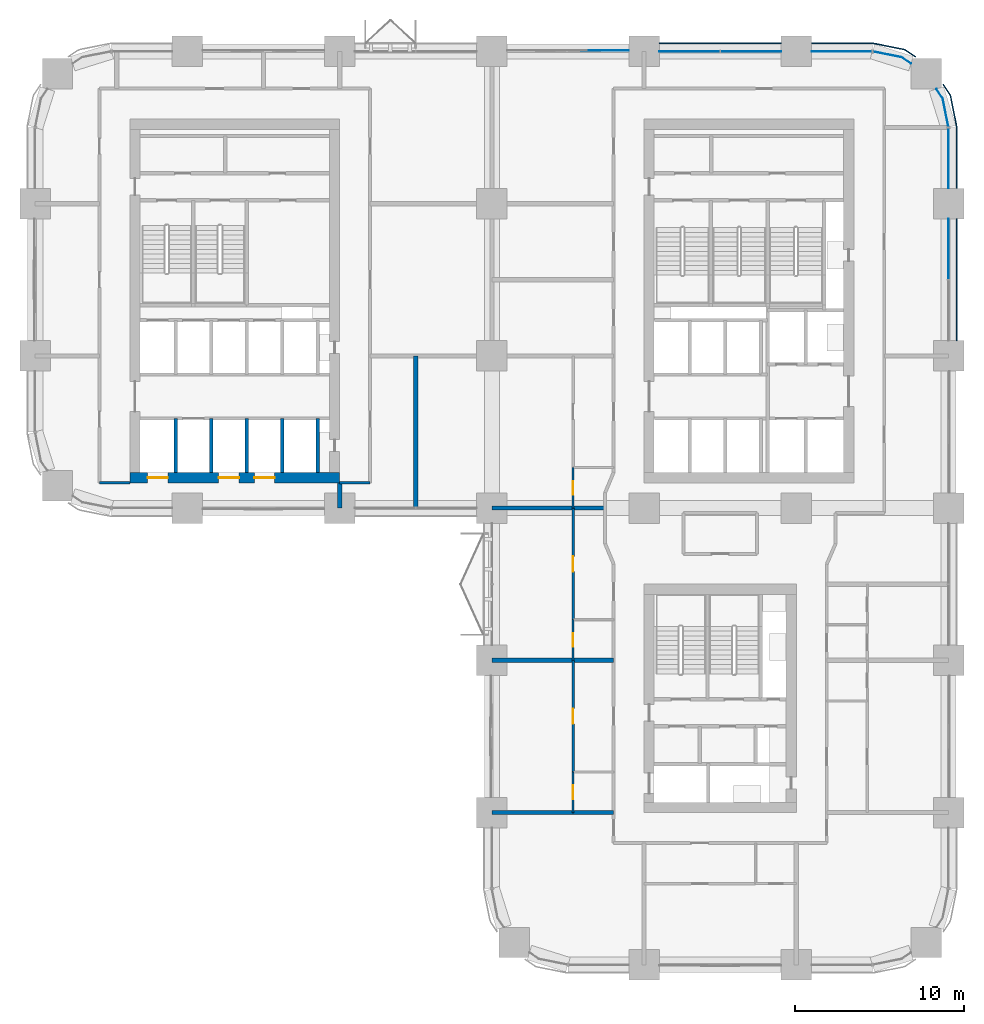
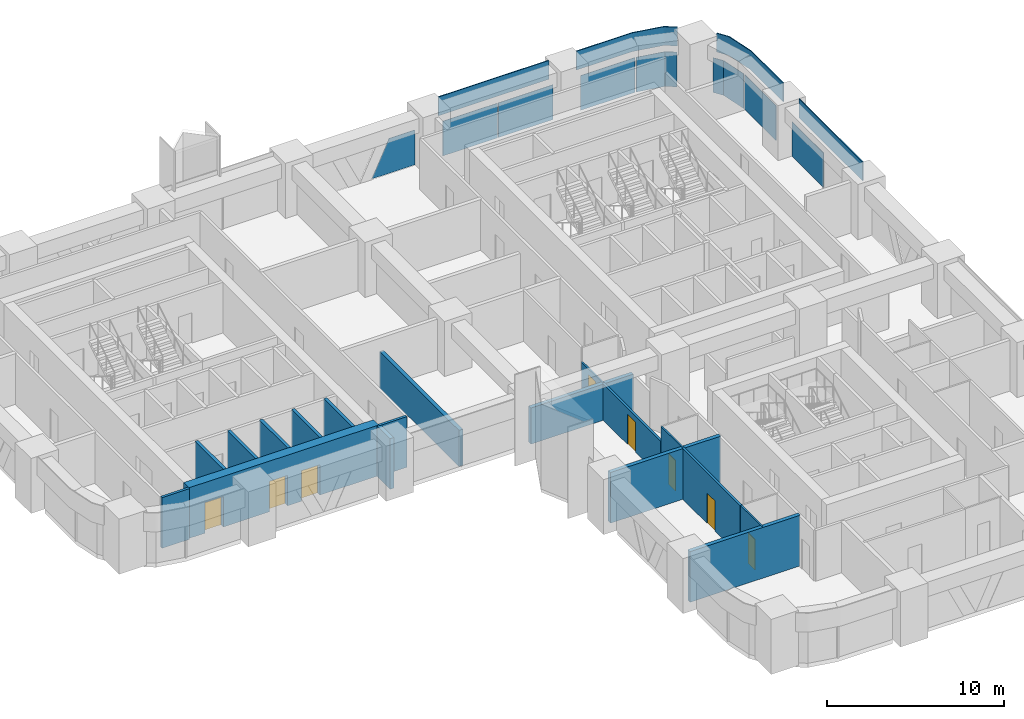
# One storey, part 11 of 18: 18 walls, 12 plates, 8 doors, 8 openings, 5 elements without a shape of their own.
"""IFC4 building model written with IfcOpenShell, lengths in metres."""

from ifc_helpers import new_model, si_unit, direction, frame, frame_2d, origin, origin_2d, place, context, subcontext, project, spatial, polyline, rectangle, outline, extrude, material, layer, layer_set, type_object, element, fill, aggregate, save


model = new_model("IFC4")

# Units and contexts
model_context = context("Model", 3, precision=1e-05, world=origin(), true_north=direction((0.0, 1.0)))
body_context = subcontext(model_context, "Body", "Model", "MODEL_VIEW")
ifc_project = project(units=[si_unit("LENGTHUNIT", "METRE"), si_unit("AREAUNIT", "SQUARE_METRE"), si_unit("VOLUMEUNIT", "CUBIC_METRE"), si_unit("PLANEANGLEUNIT", "RADIAN"), si_unit("MASSUNIT", "GRAM", prefix="KILO")], contexts=[model_context])

# Site, building, storey
site_placement = place(None, origin())
site = spatial("IfcSite", under=ifc_project, at=site_placement, CompositionType="ELEMENT")
building_placement = place(site_placement, origin())
building = spatial("IfcBuilding", under=site, at=building_placement, Name="Tessera Arch", CompositionType="ELEMENT")
storey_placement = place(building_placement, frame((0.0, 0.0, 100.60009765625)))
storey = spatial("IfcBuildingStorey", under=building, at=storey_placement, Name="L23", CompositionType="ELEMENT", Elevation=100.60009765625)

# Curtain wall, plates
ifc_material_1 = material(Name="CW1 curtain wall")
curtain_wall_type_1 = type_object("IfcCurtainWallType", Name="CW1 curtain wall", PredefinedType="NOTDEFINED", material=ifc_material_1)
curtain_wall_1_placement = place(storey_placement, origin())
curtain_wall_1 = element("IfcCurtainWall", 1, at=curtain_wall_1_placement, inside=storey, type_object=curtain_wall_type_1, Name="CW1 curtain wall N54.0/0 L23", PredefinedType="NOTDEFINED")
ifc_material_2 = material(Name="Clear low-e glass", Category="glass")
ifc_material_3 = material(Name="Clear low-e glass", Category="glass")
ifc_layer_1 = layer(ifc_material_3, 0.028076171875)
ifc_layer_set_1 = layer_set([ifc_layer_1], Name="CW1 glass panel")
plate_type_1 = type_object("IfcPlateType", Name="CW1 glass panel", PredefinedType="CURTAIN_PANEL", material=ifc_layer_set_1)
plate_1_placement = place(storey_placement, frame((42.31494140625, 54.0, 0.0), z_axis=(0.0, 0.0, 1.0), x_axis=(-1.0, 0.0, 0.0)))
plate_1 = element("IfcPlate", 2, at=plate_1_placement, type_object=plate_type_1, material=ifc_material_2, Name="CW1 glass panel N54.0/0 1.1.1", PredefinedType="CURTAIN_PANEL", context=body_context, shape_type="SweptSolid", body=[
    extrude(rectangle(XDim=3.570068359375, YDim=0.028076171875, at=origin_2d()), origin(), (0.0, 0.0, 1.0), 2.39990234375),
])
plate_2_placement = place(storey_placement, frame((38.68505859375, 54.0, 0.0), z_axis=(0.0, 0.0, 1.0), x_axis=(-1.0, 0.0, 0.0)))
plate_2 = element("IfcPlate", 3, at=plate_2_placement, type_object=plate_type_1, material=ifc_material_2, Name="CW1 glass panel N54.0/0 1.2.1", PredefinedType="CURTAIN_PANEL", context=body_context, shape_type="SweptSolid", body=[
    extrude(rectangle(XDim=3.570068359375, YDim=0.028076171875, at=origin_2d()), origin(), (0.0, 0.0, 1.0), 2.39990234375),
])

# Curtain wall, plate
curtain_wall_2_placement = place(storey_placement, origin())
curtain_wall_2 = element("IfcCurtainWall", 4, at=curtain_wall_2_placement, inside=storey, type_object=curtain_wall_type_1, Name="CW1 curtain wall E54.0/4 L23", PredefinedType="NOTDEFINED")
plate_3_placement = place(storey_placement, frame((54.0, 42.31494140625, 0.0), z_axis=(0.0, 0.0, 1.0), x_axis=(0.0, 1.0, 0.0)))
plate_3 = element("IfcPlate", 5, at=plate_3_placement, type_object=plate_type_1, material=ifc_material_2, Name="CW1 glass panel E54.0/4 1.2.1", PredefinedType="CURTAIN_PANEL", context=body_context, shape_type="SweptSolid", body=[
    extrude(rectangle(XDim=3.570068359375, YDim=0.028076171875, at=origin_2d()), origin(), (0.0, 0.0, 1.0), 2.39990234375),
])

# Plate
ifc_material_4 = material(Name="Pale anodised aluminium panel", Category="aluminium")
ifc_layer_2 = layer(ifc_material_4, 0.06005859375)
ifc_layer_set_2 = layer_set([ifc_layer_2], Name="CW1 spandrel panel")
plate_type_2 = type_object("IfcPlateType", Name="CW1 spandrel panel", PredefinedType="CURTAIN_PANEL", material=ifc_layer_set_2)
plate_4_placement = place(storey_placement, frame((40.5, 54.47998046875, 2.5), z_axis=(0.0, 0.0, 1.0), x_axis=(-1.0, 0.0, 0.0)))
plate_4 = element("IfcPlate", 6, at=plate_4_placement, type_object=plate_type_2, Name="CW1 spandrel panel N54.0/0", PredefinedType="CURTAIN_PANEL", context=body_context, shape_type="SweptSolid", body=[
    extrude(rectangle(XDim=7.199951171875, YDim=0.06005859375, at=origin_2d()), origin(), (0.0, 0.0, 1.0), 1.300048828125),
])

aggregate(curtain_wall_1, [plate_1, plate_2, plate_4])

plate_5_placement = place(storey_placement, frame((54.47998046875, 40.5, 2.5), z_axis=(0.0, 0.0, 1.0), x_axis=(0.0, 1.0, 0.0)))
plate_5 = element("IfcPlate", 7, at=plate_5_placement, type_object=plate_type_2, Name="CW1 spandrel panel E54.0/4", PredefinedType="CURTAIN_PANEL", context=body_context, shape_type="SweptSolid", body=[
    extrude(rectangle(XDim=7.199951171875, YDim=0.06005859375, at=origin_2d()), origin(), (0.0, 0.0, 1.0), 1.300048828125),
])

aggregate(curtain_wall_2, [plate_3, plate_5])

# Curtain wall, plates
ifc_material_5 = material(Name="CW2 curtain wall")
curtain_wall_type_2 = type_object("IfcCurtainWallType", Name="CW2 curtain wall", PredefinedType="NOTDEFINED", material=ifc_material_5)
curtain_wall_3_placement = place(storey_placement, origin())
curtain_wall_3 = element("IfcCurtainWall", 8, at=curtain_wall_3_placement, inside=storey, type_object=curtain_wall_type_2, Name="CW2 curtain wall E54.0/5 L23", PredefinedType="NOTDEFINED")
ifc_material_6 = material(Name="Clear low-e glass", Category="glass")
ifc_layer_3 = layer(ifc_material_6, 0.028076171875)
ifc_layer_set_3 = layer_set([ifc_layer_3], Name="CW2 glass panel")
plate_type_3 = type_object("IfcPlateType", Name="CW2 glass panel", PredefinedType="CURTAIN_PANEL", material=ifc_layer_set_3)
plate_6_placement = place(storey_placement, frame((54.0, 47.679931640625, 0.0), z_axis=(0.0, 0.0, 1.0), x_axis=(0.0, 1.0, 0.0)))
plate_6 = element("IfcPlate", 9, at=plate_6_placement, type_object=plate_type_3, material=ifc_material_2, Name="CW2 glass panel E54.0/5 1.1", PredefinedType="CURTAIN_PANEL", context=body_context, shape_type="SweptSolid", body=[
    extrude(rectangle(XDim=3.56005859375, YDim=0.028076171875, at=origin_2d()), origin(), (0.0, 0.0, 1.0), 2.39990234375),
])
plate_7_placement = place(storey_placement, origin())
plate_7 = element("IfcPlate", 10, at=plate_7_placement, type_object=plate_type_3, material=ifc_material_2, Name="CW2 curved glass panel E54.0/5 2.1", PredefinedType="CURTAIN_PANEL", context=body_context, shape_type="SweptSolid", body=[
    extrude(outline(polyline([(53.644287109375, 51.216552734375), (53.978515625, 49.53662109375), (54.005859375, 49.5419921875), (53.670654296875, 51.2275390625), (53.294921875, 51.789794921875), (53.271728515625, 51.774169921875), (53.644287109375, 51.216552734375)])), origin(), (0.0, 0.0, 1.0), 2.39990234375),
])

curtain_wall_4_placement = place(storey_placement, origin())
curtain_wall_4 = element("IfcCurtainWall", 11, at=curtain_wall_4_placement, inside=storey, type_object=curtain_wall_type_2, Name="CW2 curtain wall N54.0/5 L23", PredefinedType="NOTDEFINED")
plate_8_placement = place(storey_placement, frame((47.679931640625, 54.0, 0.0), z_axis=(0.0, 0.0, 1.0), x_axis=(-1.0, 0.0, 0.0)))
plate_8 = element("IfcPlate", 12, at=plate_8_placement, type_object=plate_type_3, material=ifc_material_2, Name="CW2 glass panel N54.0/5 1.1", PredefinedType="CURTAIN_PANEL", context=body_context, shape_type="SweptSolid", body=[
    extrude(rectangle(XDim=3.56005859375, YDim=0.028076171875, at=origin_2d()), origin(), (0.0, 0.0, 1.0), 2.39990234375),
])
plate_9_placement = place(storey_placement, origin())
plate_9 = element("IfcPlate", 13, at=plate_9_placement, type_object=plate_type_3, material=ifc_material_2, Name="CW2 curved glass panel N54.0/5 2.1", PredefinedType="CURTAIN_PANEL", context=body_context, shape_type="SweptSolid", body=[
    extrude(outline(polyline([(51.216552734375, 53.644287109375), (51.774169921875, 53.271728515625), (51.789794921875, 53.294921875), (51.2275390625, 53.670654296875), (49.5419921875, 54.005859375), (49.53662109375, 53.978515625), (51.216552734375, 53.644287109375)])), origin(), (0.0, 0.0, 1.0), 2.39990234375),
])

# Plate
ifc_material_7 = material(Name="Pale anodised aluminium panel", Category="aluminium")
ifc_layer_4 = layer(ifc_material_7, 0.06005859375)
ifc_layer_set_4 = layer_set([ifc_layer_4], Name="CW2 spandrel panel")
plate_type_4 = type_object("IfcPlateType", Name="CW2 spandrel panel", PredefinedType="CURTAIN_PANEL", material=ifc_layer_set_4)
plate_10_placement = place(storey_placement, frame((0.0, 0.0, 2.5)))
plate_10 = element("IfcPlate", 14, at=plate_10_placement, type_object=plate_type_4, Name="CW2 spandrel panel E54.0/5", PredefinedType="CURTAIN_PANEL", context=body_context, shape_type="SweptSolid", body=[
    extrude(outline(polyline([(54.449951171875, 49.499267578125), (54.449951171875, 45.89990234375), (54.510009765625, 45.89990234375), (54.510009765625, 49.500732421875), (54.507568359375, 49.550048828125), (54.500244140625, 49.598876953125), (54.157470703125, 51.322265625), (54.1455078125, 51.3701171875), (54.128662109375, 51.417236328125), (54.107177734375, 51.462646484375), (54.08203125, 51.5048828125), (53.707275390625, 52.0654296875), (53.657470703125, 52.031982421875), (54.03125, 51.47265625), (54.05419921875, 51.434326171875), (54.0732421875, 51.394287109375), (54.088134765625, 51.352783203125), (54.09912109375, 51.30908203125), (54.441162109375, 49.588623046875), (54.44775390625, 49.544189453125), (54.449951171875, 49.499267578125)])), origin(), (0.0, 0.0, 1.0), 1.2998046875),
])

aggregate(curtain_wall_3, [plate_6, plate_7, plate_10])

plate_11_placement = place(storey_placement, frame((0.0, 0.0, 2.5)))
plate_11 = element("IfcPlate", 15, at=plate_11_placement, type_object=plate_type_4, Name="CW2 spandrel panel N54.0/5", PredefinedType="CURTAIN_PANEL", context=body_context, shape_type="SweptSolid", body=[
    extrude(outline(polyline([(51.47265625, 54.03125), (52.031982421875, 53.657470703125), (52.0654296875, 53.707275390625), (51.5048828125, 54.08203125), (51.462646484375, 54.107177734375), (51.417236328125, 54.128662109375), (51.3701171875, 54.1455078125), (51.322265625, 54.157470703125), (49.598876953125, 54.500244140625), (49.550048828125, 54.507568359375), (49.500732421875, 54.510009765625), (45.89990234375, 54.510009765625), (45.89990234375, 54.449951171875), (49.499267578125, 54.449951171875), (49.544189453125, 54.44775390625), (49.588623046875, 54.441162109375), (51.30908203125, 54.09912109375), (51.352783203125, 54.088134765625), (51.394287109375, 54.0732421875), (51.434326171875, 54.05419921875), (51.47265625, 54.03125)])), origin(), (0.0, 0.0, 1.0), 1.2998046875),
])

aggregate(curtain_wall_4, [plate_8, plate_9, plate_11])

# Curtain wall, plate
ifc_material_8 = material(Name="CW3 curtain wall")
curtain_wall_type_3 = type_object("IfcCurtainWallType", Name="CW3 curtain wall", PredefinedType="NOTDEFINED", material=ifc_material_8)
curtain_wall_5_placement = place(storey_placement, origin())
curtain_wall_5 = element("IfcCurtainWall", 16, at=curtain_wall_5_placement, inside=storey, type_object=curtain_wall_type_3, Name="CW3 curtain wall N54.0/1 L23", PredefinedType="NOTDEFINED")
ifc_material_9 = material(Name="Clear low-e glass", Category="glass")
ifc_layer_5 = layer(ifc_material_9, 0.028076171875)
ifc_layer_set_5 = layer_set([ifc_layer_5], Name="CW3 glass panel")
plate_type_5 = type_object("IfcPlateType", Name="CW3 glass panel", PredefinedType="CURTAIN_PANEL", material=ifc_layer_set_5)
plate_12_placement = place(storey_placement, frame((35.10009765625, 54.05810546875, 0.0), z_axis=(0.0, 1.0, 0.0), x_axis=(-1.0, 0.0, 0.0)))
plate_12 = element("IfcPlate", 17, at=plate_12_placement, type_object=plate_type_5, material=ifc_material_2, Name="CW3 triangulated glass panel N54.0/1 1", PredefinedType="CURTAIN_PANEL", context=body_context, shape_type="SweptSolid", body=[
    extrude(outline(polyline([(0.0, 0.0), (2.822021484375, 0.0), (1.685302734375, 2.39990234375), (0.0, 2.39990234375), (0.0, 0.0)])), origin(), (0.0, 0.0, -1.0), 0.028076171875),
])
aggregate(curtain_wall_5, [plate_12])

# Wall, openings, doors
ifc_material_10 = material(Name="Concrete C70/85", Category="concrete")
ifc_layer_6 = layer(ifc_material_10, 0.60009765625)
ifc_layer_set_6 = layer_set([ifc_layer_6], Name="Core shell wall 600 C70-85")
wall_type_1 = type_object("IfcWallType", Name="Core shell wall 600 C70-85", PredefinedType="SHEAR", material=ifc_layer_set_6)
wall_1_placement = place(storey_placement, frame((5.60009765625, 28.800048828125, 0.0), z_axis=(0.0, 0.0, 1.0), x_axis=(1.0, 0.0, 0.0)))
wall_1 = element("IfcWall", 18, at=wall_1_placement, inside=storey, type_object=wall_type_1, Name="L23 C2 core wall S", PredefinedType="SHEAR", context=body_context, shape_type="SweptSolid", body=[
    extrude(rectangle(XDim=12.39990234375, YDim=0.60009765625, at=frame_2d((6.199951171875, 0.0))), origin(), (0.0, 0.0, 1.0), 3.5),
])
opening_1_placement = place(wall_1_placement, frame((1.050048828125, 0.0, 0.0)))
opening_1 = element("IfcOpeningElement", 19, at=opening_1_placement, cuts=wall_1, Name="Opening L23-C14", PredefinedType="OPENING", context=body_context, shape_type="SweptSolid", body=[
    extrude(rectangle(XDim=1.199951171875, YDim=2.10009765625, at=frame_2d((0.60009765625, 1.050048828125))), frame((0.0, 0.31005859375, 0.0), z_axis=(0.0, -1.0, 0.0), x_axis=(1.0, 0.0, 0.0)), (0.0, 0.0, 1.0), 0.6201171875),
])
opening_2_placement = place(wall_1_placement, frame((5.25, 0.0, 0.0)))
opening_2 = element("IfcOpeningElement", 20, at=opening_2_placement, cuts=wall_1, Name="Opening L23-C16", PredefinedType="OPENING", context=body_context, shape_type="SweptSolid", body=[
    extrude(rectangle(XDim=1.199951171875, YDim=2.10009765625, at=frame_2d((0.60009765625, 1.050048828125))), frame((0.0, 0.31005859375, 0.0), z_axis=(0.0, -1.0, 0.0), x_axis=(1.0, 0.0, 0.0)), (0.0, 0.0, 1.0), 0.6201171875),
])
opening_3_placement = place(wall_1_placement, frame((7.35009765625, 0.0, 0.0)))
opening_3 = element("IfcOpeningElement", 21, at=opening_3_placement, cuts=wall_1, Name="Opening L23-C17", PredefinedType="OPENING", context=body_context, shape_type="SweptSolid", body=[
    extrude(rectangle(XDim=1.199951171875, YDim=2.10009765625, at=frame_2d((0.60009765625, 1.050048828125))), frame((0.0, 0.31005859375, 0.0), z_axis=(0.0, -1.0, 0.0), x_axis=(1.0, 0.0, 0.0)), (0.0, 0.0, 1.0), 0.6201171875),
])
ifc_material_11 = material(Name="Stainless steel AISI 304", Category="steel")
door_type_1 = type_object("IfcDoorType", Name="Sliding landing door 1200 x 2100", OperationType="SLIDING_TO_LEFT", PredefinedType="DOOR", material=ifc_material_11)
door_1_placement = place(opening_1_placement, origin())
door_1 = element("IfcDoor", 22, at=door_1_placement, inside=storey, type_object=door_type_1, Name="L23 LR1 lift landing door C14 type LD", OperationType="SLIDING_TO_LEFT", OverallHeight=2.10009765625, OverallWidth=1.199951171875, PredefinedType="DOOR", context=body_context, shape_type="SweptSolid", body=[
    extrude(rectangle(XDim=1.199951171875, YDim=2.10009765625, at=frame_2d((0.60009765625, 1.050048828125))), frame((0.0, 0.02490234375, 0.0), z_axis=(0.0, -1.0, 0.0), x_axis=(1.0, 0.0, 0.0)), (0.0, 0.0, 1.0), 0.050048828125),
])
fill(opening_1, door_1)
door_2_placement = place(opening_2_placement, origin())
door_2 = element("IfcDoor", 23, at=door_2_placement, inside=storey, type_object=door_type_1, Name="L23 LR3 lift landing door C16 type LD", OperationType="SLIDING_TO_LEFT", OverallHeight=2.10009765625, OverallWidth=1.199951171875, PredefinedType="DOOR", context=body_context, shape_type="SweptSolid", body=[
    extrude(rectangle(XDim=1.199951171875, YDim=2.10009765625, at=frame_2d((0.60009765625, 1.050048828125))), frame((0.0, 0.02490234375, 0.0), z_axis=(0.0, -1.0, 0.0), x_axis=(1.0, 0.0, 0.0)), (0.0, 0.0, 1.0), 0.050048828125),
])
fill(opening_2, door_2)
door_3_placement = place(opening_3_placement, origin())
door_3 = element("IfcDoor", 24, at=door_3_placement, inside=storey, type_object=door_type_1, Name="L23 LR4 lift landing door C17 type LD", OperationType="SLIDING_TO_LEFT", OverallHeight=2.10009765625, OverallWidth=1.199951171875, PredefinedType="DOOR", context=body_context, shape_type="SweptSolid", body=[
    extrude(rectangle(XDim=1.199951171875, YDim=2.10009765625, at=frame_2d((0.60009765625, 1.050048828125))), frame((0.0, 0.02490234375, 0.0), z_axis=(0.0, -1.0, 0.0), x_axis=(1.0, 0.0, 0.0)), (0.0, 0.0, 1.0), 0.050048828125),
])
fill(opening_3, door_3)

# Walls
ifc_material_12 = material(Name="Gypsum board on deep steel stud with mineral wool", Category="steel")
ifc_layer_7 = layer(ifc_material_12, 0.175048828125)
ifc_layer_set_7 = layer_set([ifc_layer_7], Name="Corridor wall 175 EI 60")
wall_type_2 = type_object("IfcWallType", Name="Corridor wall 175 EI 60", PredefinedType="PARTITIONING", material=ifc_layer_set_7)
for number, where, z_axis, x_axis, name in (
    (25, (3.800048828125, 28.5, 0.0), (0.0, 0.0, 1.0), (1.0, 0.0, 0.0), "L23 partition 5"),
    (26, (18.0, 28.5, 0.0), (0.0, 0.0, 1.0), (1.0, 0.0, 0.0), "L23 partition 6"),
):
    element("IfcWall", number, at=place(storey_placement, frame(where, z_axis=z_axis, x_axis=x_axis)), inside=storey, type_object=wall_type_2, Name=name, PredefinedType="PARTITIONING", context=body_context, shape_type="SweptSolid", body=[
        extrude(rectangle(XDim=1.800048828125, YDim=0.175048828125, at=frame_2d((0.89990234375, 0.0))), origin(), (0.0, 0.0, 1.0), 3.5),
    ])

# Wall, opening, door
ifc_material_13 = material(Name="Gypsum board on steel stud", Category="steel")
ifc_layer_8 = layer(ifc_material_13, 0.14990234375)
ifc_layer_set_8 = layer_set([ifc_layer_8], Name="Partition 150")
wall_type_3 = type_object("IfcWallType", Name="Partition 150", PredefinedType="PARTITIONING", material=ifc_layer_set_8)
wall_2_placement = place(storey_placement, frame((31.800048828125, 11.39990234375, 0.0), z_axis=(0.0, 0.0, 1.0), x_axis=(0.0, 1.0, 0.0)))
wall_2 = element("IfcWall", 27, at=wall_2_placement, inside=storey, type_object=wall_type_3, Name="L23 partition 20", PredefinedType="PARTITIONING", context=body_context, shape_type="SweptSolid", body=[
    extrude(rectangle(XDim=6.60009765625, YDim=0.14990234375, at=frame_2d((3.300048828125, 0.0))), origin(), (0.0, 0.0, 1.0), 3.5),
])
opening_4_placement = place(wall_2_placement, frame((2.85009765625, 0.0, 0.0)))
opening_4 = element("IfcOpeningElement", 28, at=opening_4_placement, cuts=wall_2, Name="Opening L23-D007", PredefinedType="OPENING", context=body_context, shape_type="SweptSolid", body=[
    extrude(rectangle(XDim=0.89990234375, YDim=2.10009765625, at=frame_2d((0.449951171875, 1.050048828125))), frame((0.0, 0.0849609375, 0.0), z_axis=(0.0, -1.0, 0.0), x_axis=(1.0, 0.0, 0.0)), (0.0, 0.0, 1.0), 0.169921875),
])
ifc_material_14 = material(Name="Timber door leaf", Category="wood")
door_type_2 = type_object("IfcDoorType", Name="Room door 900 x 2100", OperationType="SINGLE_SWING_LEFT", PredefinedType="DOOR", material=ifc_material_14)
door_4_placement = place(opening_4_placement, origin())
door_4 = element("IfcDoor", 29, at=door_4_placement, inside=storey, type_object=door_type_2, Name="L23 door D007 type D01", OperationType="SINGLE_SWING_LEFT", OverallHeight=2.10009765625, OverallWidth=0.89990234375, PredefinedType="DOOR", context=body_context, shape_type="SweptSolid", body=[
    extrude(rectangle(XDim=0.89990234375, YDim=2.10009765625, at=frame_2d((0.449951171875, 1.050048828125))), frame((0.0, 0.02490234375, 0.0), z_axis=(0.0, -1.0, 0.0), x_axis=(1.0, 0.0, 0.0)), (0.0, 0.0, 1.0), 0.050048828125),
])
fill(opening_4, door_4)

wall_3_placement = place(storey_placement, frame((31.800048828125, 20.39990234375, 0.0), z_axis=(0.0, 0.0, 1.0), x_axis=(0.0, 1.0, 0.0)))
wall_3 = element("IfcWall", 30, at=wall_3_placement, inside=storey, type_object=wall_type_3, Name="L23 partition 21", PredefinedType="PARTITIONING", context=body_context, shape_type="SweptSolid", body=[
    extrude(rectangle(XDim=6.60009765625, YDim=0.14990234375, at=frame_2d((3.300048828125, 0.0))), origin(), (0.0, 0.0, 1.0), 2.5),
])
opening_5_placement = place(wall_3_placement, frame((2.85009765625, 0.0, 0.0)))
opening_5 = element("IfcOpeningElement", 31, at=opening_5_placement, cuts=wall_3, Name="Opening L23-D016", PredefinedType="OPENING", context=body_context, shape_type="SweptSolid", body=[
    extrude(rectangle(XDim=0.89990234375, YDim=2.10009765625, at=frame_2d((0.449951171875, 1.050048828125))), frame((0.0, 0.0849609375, 0.0), z_axis=(0.0, -1.0, 0.0), x_axis=(1.0, 0.0, 0.0)), (0.0, 0.0, 1.0), 0.169921875),
])
door_5_placement = place(opening_5_placement, origin())
door_5 = element("IfcDoor", 32, at=door_5_placement, inside=storey, type_object=door_type_2, Name="L23 door D016 type D01", OperationType="SINGLE_SWING_RIGHT", OverallHeight=2.10009765625, OverallWidth=0.89990234375, PredefinedType="DOOR", context=body_context, shape_type="SweptSolid", body=[
    extrude(rectangle(XDim=0.89990234375, YDim=2.10009765625, at=frame_2d((0.449951171875, 1.050048828125))), frame((0.0, 0.02490234375, 0.0), z_axis=(0.0, -1.0, 0.0), x_axis=(1.0, 0.0, 0.0)), (0.0, 0.0, 1.0), 0.050048828125),
])
fill(opening_5, door_5)

# Walls
ifc_material_15 = material(Name="Double gypsum board on twin steel stud with acoustic mineral wool", Category="steel")
ifc_layer_9 = layer(ifc_material_15, 0.25)
ifc_layer_set_9 = layer_set([ifc_layer_9], Name="Party wall 250 EI 60")
wall_type_4 = type_object("IfcWallType", Name="Party wall 250 EI 60", PredefinedType="PARTITIONING", material=ifc_layer_set_9)
for number, where, z_axis, x_axis, name in (
    (33, (27.0, 9.0, 0.0), (0.0, 0.0, 1.0), (1.0, 0.0, 0.0), "L23 partition 25"),
    (34, (27.0, 18.0, 0.0), (0.0, 0.0, 1.0), (1.0, 0.0, 0.0), "L23 partition 27"),
):
    element("IfcWall", number, at=place(storey_placement, frame(where, z_axis=z_axis, x_axis=x_axis)), inside=storey, type_object=wall_type_4, Name=name, PredefinedType="PARTITIONING", context=body_context, shape_type="SweptSolid", body=[
        extrude(rectangle(XDim=7.199951171875, YDim=0.25, at=frame_2d((3.60009765625, 0.0))), origin(), (0.0, 0.0, 1.0), 3.5),
    ])
wall_4_placement = place(storey_placement, frame((27.0, 27.0, 0.0), z_axis=(0.0, 0.0, 1.0), x_axis=(1.0, 0.0, 0.0)))
element("IfcWall", 35, at=wall_4_placement, inside=storey, type_object=wall_type_4, Name="L23 partition 30", PredefinedType="PARTITIONING", context=body_context, shape_type="SweptSolid", body=[
    extrude(rectangle(XDim=6.699951171875, YDim=0.25, at=frame_2d((3.35009765625, 0.0))), origin(), (0.0, 0.0, 1.0), 2.5),
])
wall_5_placement = place(storey_placement, frame((18.0, 27.0, 0.0), z_axis=(0.0, 0.0, 1.0), x_axis=(0.0, 1.0, 0.0)))
element("IfcWall", 36, at=wall_5_placement, inside=storey, type_object=wall_type_4, Name="L23 partition 40", PredefinedType="PARTITIONING", context=body_context, shape_type="SweptSolid", body=[
    extrude(rectangle(XDim=1.5, YDim=0.25, at=frame_2d((0.75, 0.0))), origin(), (0.0, 0.0, 1.0), 3.5),
])
wall_6_placement = place(storey_placement, frame((22.5, 27.0, 0.0), z_axis=(0.0, 0.0, 1.0), x_axis=(0.0, 1.0, 0.0)))
element("IfcWall", 37, at=wall_6_placement, inside=storey, type_object=wall_type_4, Name="L23 partition 42", PredefinedType="PARTITIONING", context=body_context, shape_type="SweptSolid", body=[
    extrude(rectangle(XDim=9.0, YDim=0.25, at=frame_2d((4.5, 0.0))), origin(), (0.0, 0.0, 1.0), 2.5),
])
ifc_material_16 = material(Name="Concrete C40/50", Category="concrete")
ifc_layer_10 = layer(ifc_material_16, 0.199951171875)
ifc_layer_set_10 = layer_set([ifc_layer_10], Name="Shaft wall 200 EI 120")
wall_type_5 = type_object("IfcWallType", Name="Shaft wall 200 EI 120", PredefinedType="SOLIDWALL", material=ifc_layer_set_10)
for number, where, z_axis, x_axis, name in (
    (38, (8.300048828125, 29.10009765625, 0.0), (0.0, 0.0, 1.0), (0.0, 1.0, 0.0), "L23 C2 shaft wall 1"),
    (39, (10.39990234375, 29.10009765625, 0.0), (0.0, 0.0, 1.0), (0.0, 1.0, 0.0), "L23 C2 shaft wall 5"),
    (40, (12.5, 29.10009765625, 0.0), (0.0, 0.0, 1.0), (0.0, 1.0, 0.0), "L23 C2 shaft wall 8"),
    (41, (14.60009765625, 29.10009765625, 0.0), (0.0, 0.0, 1.0), (0.0, 1.0, 0.0), "L23 C2 shaft wall 12"),
    (42, (16.699951171875, 29.10009765625, 0.0), (0.0, 0.0, 1.0), (0.0, 1.0, 0.0), "L23 C2 shaft wall 14"),
):
    element("IfcWall", number, at=place(storey_placement, frame(where, z_axis=z_axis, x_axis=x_axis)), inside=storey, type_object=wall_type_5, Name=name, PredefinedType="SOLIDWALL", context=body_context, shape_type="SweptSolid", body=[
        extrude(rectangle(XDim=3.199951171875, YDim=0.199951171875, at=frame_2d((1.60009765625, 0.0))), origin(), (0.0, 0.0, 1.0), 3.5),
    ])

# Wall, opening, door
ifc_material_17 = material(Name="Moisture-resistant board on pre-plumbed steel stud", Category="steel")
ifc_layer_11 = layer(ifc_material_17, 0.10009765625)
ifc_layer_set_11 = layer_set([ifc_layer_11], Name="Wet wall 100")
wall_type_6 = type_object("IfcWallType", Name="Wet wall 100", PredefinedType="PARTITIONING", material=ifc_layer_set_11)
wall_7_placement = place(storey_placement, frame((31.800048828125, 9.0, 0.0), z_axis=(0.0, 0.0, 1.0), x_axis=(0.0, 1.0, 0.0)))
wall_7 = element("IfcWall", 43, at=wall_7_placement, inside=storey, type_object=wall_type_6, Name="L23 partition 53", PredefinedType="PARTITIONING", context=body_context, shape_type="SweptSolid", body=[
    extrude(rectangle(XDim=2.39990234375, YDim=0.10009765625, at=frame_2d((1.199951171875, 0.0))), origin(), (0.0, 0.0, 1.0), 3.5),
])
opening_6_placement = place(wall_7_placement, frame((0.800048828125, 0.0, 0.0)))
opening_6 = element("IfcOpeningElement", 44, at=opening_6_placement, cuts=wall_7, Name="Opening L23-D008", PredefinedType="OPENING", context=body_context, shape_type="SweptSolid", body=[
    extrude(rectangle(XDim=0.800048828125, YDim=2.10009765625, at=frame_2d((0.39990234375, 1.050048828125))), frame((0.0, 0.06005859375, 0.0), z_axis=(0.0, -1.0, 0.0), x_axis=(1.0, 0.0, 0.0)), (0.0, 0.0, 1.0), 0.1201171875),
])
ifc_material_18 = material(Name="Timber door leaf", Category="wood")
door_type_3 = type_object("IfcDoorType", Name="En-suite door 800 x 2100", OperationType="SINGLE_SWING_LEFT", PredefinedType="DOOR", material=ifc_material_18)
door_6_placement = place(opening_6_placement, origin())
door_6 = element("IfcDoor", 45, at=door_6_placement, inside=storey, type_object=door_type_3, Name="L23 door D008 type D02", OperationType="SINGLE_SWING_RIGHT", OverallHeight=2.10009765625, OverallWidth=0.800048828125, PredefinedType="DOOR", context=body_context, shape_type="SweptSolid", body=[
    extrude(rectangle(XDim=0.800048828125, YDim=2.10009765625, at=frame_2d((0.39990234375, 1.050048828125))), frame((0.0, 0.02490234375, 0.0), z_axis=(0.0, -1.0, 0.0), x_axis=(1.0, 0.0, 0.0)), (0.0, 0.0, 1.0), 0.050048828125),
])
fill(opening_6, door_6)

wall_8_placement = place(storey_placement, frame((31.800048828125, 18.0, 0.0), z_axis=(0.0, 0.0, 1.0), x_axis=(0.0, 1.0, 0.0)))
wall_8 = element("IfcWall", 46, at=wall_8_placement, inside=storey, type_object=wall_type_6, Name="L23 partition 54", PredefinedType="PARTITIONING", context=body_context, shape_type="SweptSolid", body=[
    extrude(rectangle(XDim=2.39990234375, YDim=0.10009765625, at=frame_2d((1.199951171875, 0.0))), origin(), (0.0, 0.0, 1.0), 3.5),
])
opening_7_placement = place(wall_8_placement, frame((0.800048828125, 0.0, 0.0)))
opening_7 = element("IfcOpeningElement", 47, at=opening_7_placement, cuts=wall_8, Name="Opening L23-D017", PredefinedType="OPENING", context=body_context, shape_type="SweptSolid", body=[
    extrude(rectangle(XDim=0.800048828125, YDim=2.10009765625, at=frame_2d((0.39990234375, 1.050048828125))), frame((0.0, 0.06005859375, 0.0), z_axis=(0.0, -1.0, 0.0), x_axis=(1.0, 0.0, 0.0)), (0.0, 0.0, 1.0), 0.1201171875),
])
door_7_placement = place(opening_7_placement, origin())
door_7 = element("IfcDoor", 48, at=door_7_placement, inside=storey, type_object=door_type_3, Name="L23 door D017 type D02", OperationType="SINGLE_SWING_LEFT", OverallHeight=2.10009765625, OverallWidth=0.800048828125, PredefinedType="DOOR", context=body_context, shape_type="SweptSolid", body=[
    extrude(rectangle(XDim=0.800048828125, YDim=2.10009765625, at=frame_2d((0.39990234375, 1.050048828125))), frame((0.0, 0.02490234375, 0.0), z_axis=(0.0, -1.0, 0.0), x_axis=(1.0, 0.0, 0.0)), (0.0, 0.0, 1.0), 0.050048828125),
])
fill(opening_7, door_7)

wall_9_placement = place(storey_placement, frame((31.800048828125, 27.0, 0.0), z_axis=(0.0, 0.0, 1.0), x_axis=(0.0, 1.0, 0.0)))
wall_9 = element("IfcWall", 49, at=wall_9_placement, inside=storey, type_object=wall_type_6, Name="L23 partition 55", PredefinedType="PARTITIONING", context=body_context, shape_type="SweptSolid", body=[
    extrude(rectangle(XDim=2.39990234375, YDim=0.10009765625, at=frame_2d((1.199951171875, 0.0))), origin(), (0.0, 0.0, 1.0), 2.5),
])
opening_8_placement = place(wall_9_placement, frame((0.800048828125, 0.0, 0.0)))
opening_8 = element("IfcOpeningElement", 50, at=opening_8_placement, cuts=wall_9, Name="Opening L23-D024", PredefinedType="OPENING", context=body_context, shape_type="SweptSolid", body=[
    extrude(rectangle(XDim=0.800048828125, YDim=2.10009765625, at=frame_2d((0.39990234375, 1.050048828125))), frame((0.0, 0.06005859375, 0.0), z_axis=(0.0, -1.0, 0.0), x_axis=(1.0, 0.0, 0.0)), (0.0, 0.0, 1.0), 0.1201171875),
])
door_8_placement = place(opening_8_placement, origin())
door_8 = element("IfcDoor", 51, at=door_8_placement, inside=storey, type_object=door_type_3, Name="L23 door D024 type D02", OperationType="SINGLE_SWING_RIGHT", OverallHeight=2.10009765625, OverallWidth=0.800048828125, PredefinedType="DOOR", context=body_context, shape_type="SweptSolid", body=[
    extrude(rectangle(XDim=0.800048828125, YDim=2.10009765625, at=frame_2d((0.39990234375, 1.050048828125))), frame((0.0, 0.02490234375, 0.0), z_axis=(0.0, -1.0, 0.0), x_axis=(1.0, 0.0, 0.0)), (0.0, 0.0, 1.0), 0.050048828125),
])
fill(opening_8, door_8)

save(model, "model.ifc")
